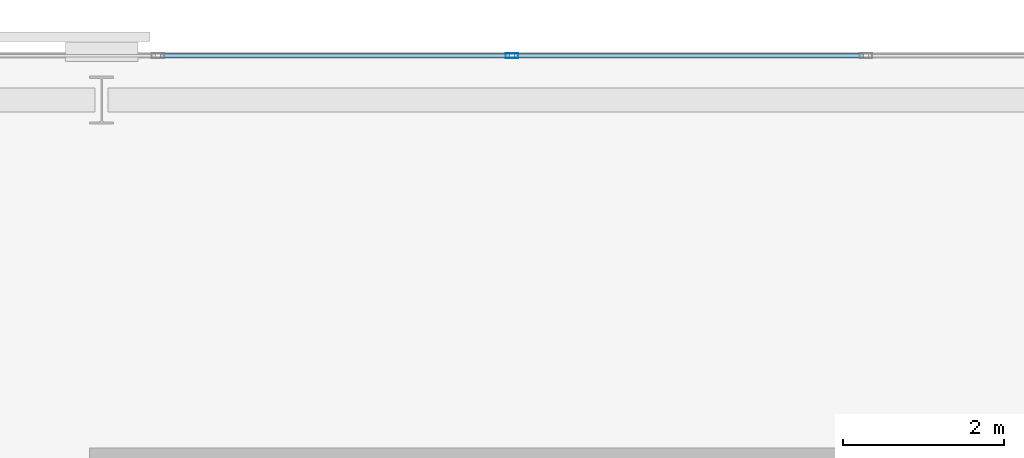
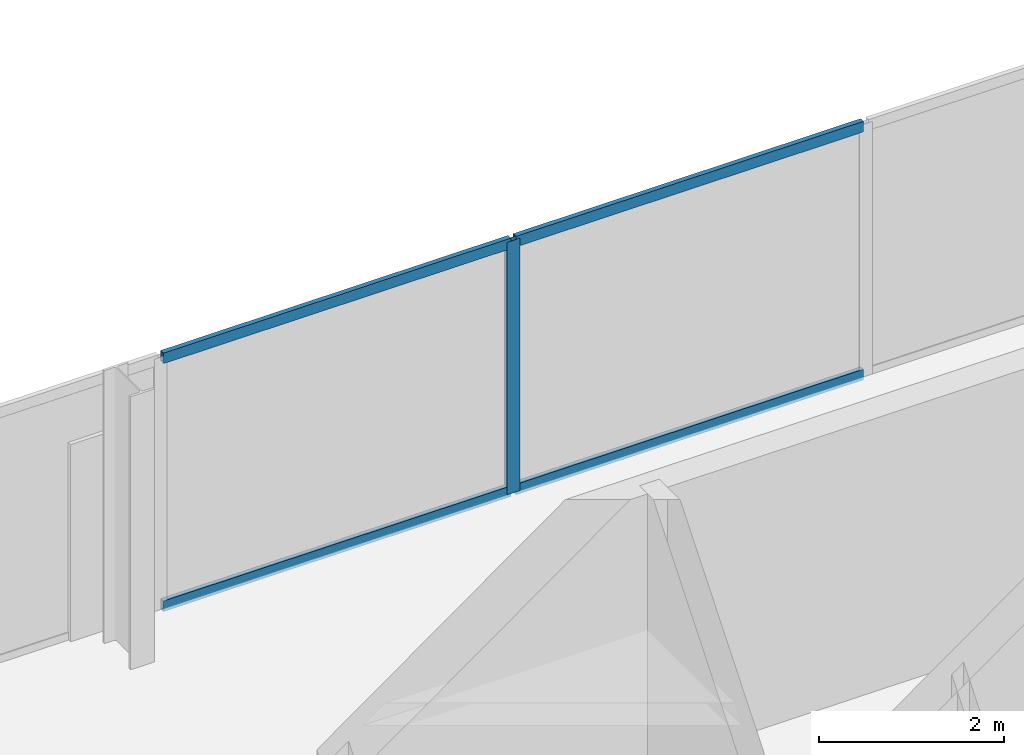
# One storey, part 20 of 33: 5 members, 1 element without a shape of its own.
"""IFC4 building model written with IfcOpenShell, lengths in metres."""

from ifc_helpers import new_model, si_unit, direction, frame, origin, origin_2d, place, context, subcontext, project, spatial, hollow_rectangle, extrude, material, layer, layer_set, material_profile, profile_set, type_object, element, aggregate, save


model = new_model("IFC4")

# Units and contexts
model_context = context("Model", 3, precision=1e-05, world=origin(), true_north=direction((0.0, 1.0)))
body_context = subcontext(model_context, "Body", "Model", "MODEL_VIEW")
ifc_project = project(units=[si_unit("LENGTHUNIT", "METRE"), si_unit("AREAUNIT", "SQUARE_METRE"), si_unit("VOLUMEUNIT", "CUBIC_METRE"), si_unit("PLANEANGLEUNIT", "RADIAN"), si_unit("MASSUNIT", "GRAM", prefix="KILO")], contexts=[model_context])

# Site, building, storey
site_placement = place(None, origin())
site = spatial("IfcSite", under=ifc_project, at=site_placement, CompositionType="ELEMENT")
building_placement = place(site_placement, origin())
building = spatial("IfcBuilding", under=site, at=building_placement, Name="Catumbela Crestline Tower", CompositionType="ELEMENT")
storey_placement = place(building_placement, frame((0.0, 0.0, 118.8)))
storey = spatial("IfcBuildingStorey", under=building, at=storey_placement, Name="L30", CompositionType="ELEMENT", Elevation=118.8)

# Curtain wall, members
ifc_material = material(Name="Aluminium alloy AW-6060-T66", Category="aluminium")
ifc_layer = layer(ifc_material, 0.18, Name="Aluminium alloy AW-6060-T66")
ifc_layer_set = layer_set([ifc_layer], Name="Aluminium alloy AW-6060-T66")
curtain_wall_type = type_object("IfcCurtainWallType", Name="CWU-Z2", PredefinedType="USERDEFINED", material=ifc_layer_set)
curtain_wall_placement = place(storey_placement, origin())
curtain_wall = element("IfcCurtainWall", 1, at=curtain_wall_placement, inside=storey, type_object=curtain_wall_type, Name="L30 Unitised Curtain Wall CW-L30-E7S1", ObjectType="UNITISED", PredefinedType="USERDEFINED")
ifc_material_profile_1 = material_profile(ifc_material, hollow_rectangle(XDim=0.06, YDim=0.16, WallThickness=0.004, at=origin_2d()), Name="ALU 160x60x4")
ifc_profile_set_1 = profile_set([ifc_material_profile_1], Name="Aluminium alloy AW-6060-T66")
member_type_1 = type_object("IfcMemberType", Name="MUL-160X60", PredefinedType="MULLION", material=ifc_profile_set_1)
member_1_placement = place(storey_placement, frame((21.1, 47.95, 0.0), z_axis=(0.0, 0.0, 1.0), x_axis=(0.0, -1.0, 0.0)))
member_1 = element("IfcMember", 2, at=member_1_placement, type_object=member_type_1, Name="CWU-Z2 mullion 7", PredefinedType="MULLION", context=body_context, shape_type="SweptSolid", body=[
    extrude(hollow_rectangle(XDim=0.06, YDim=0.16, WallThickness=0.004, at=origin_2d()), origin(), (0.0, 0.0, 1.0), 3.33),
])
ifc_material_profile_2 = material_profile(ifc_material, hollow_rectangle(XDim=0.06, YDim=0.14, WallThickness=0.004, at=origin_2d()), Name="ALU 140x60x4")
ifc_profile_set_2 = profile_set([ifc_material_profile_2], Name="Aluminium alloy AW-6060-T66")
member_type_2 = type_object("IfcMemberType", Name="TRN-140X60", PredefinedType="USERDEFINED", material=ifc_profile_set_2)
member_2_placement = place(storey_placement, frame((25.4675, 47.95, 0.03), z_axis=(-1.0, 0.0, 0.0), x_axis=(0.0, -1.0, 0.0)))
member_2 = element("IfcMember", 3, at=member_2_placement, type_object=member_type_2, Name="CWU-Z2 transom 6.1", ObjectType="TRANSOM", PredefinedType="USERDEFINED", context=body_context, shape_type="SweptSolid", body=[
    extrude(hollow_rectangle(XDim=0.06, YDim=0.14, WallThickness=0.004, at=origin_2d()), origin(), (0.0, 0.0, 1.0), 4.335),
])
member_3_placement = place(storey_placement, frame((25.4675, 47.95, 3.3), z_axis=(-1.0, 0.0, 0.0), x_axis=(0.0, -1.0, 0.0)))
member_3 = element("IfcMember", 4, at=member_3_placement, type_object=member_type_2, Name="CWU-Z2 transom 6.2", ObjectType="TRANSOM", PredefinedType="USERDEFINED", context=body_context, shape_type="SweptSolid", body=[
    extrude(hollow_rectangle(XDim=0.06, YDim=0.14, WallThickness=0.004, at=origin_2d()), origin(), (0.0, 0.0, 1.0), 4.335),
])
member_4_placement = place(storey_placement, frame((21.0675, 47.95, 0.03), z_axis=(-1.0, 0.0, 0.0), x_axis=(0.0, -1.0, 0.0)))
member_4 = element("IfcMember", 5, at=member_4_placement, type_object=member_type_2, Name="CWU-Z2 transom 7.1", ObjectType="TRANSOM", PredefinedType="USERDEFINED", context=body_context, shape_type="SweptSolid", body=[
    extrude(hollow_rectangle(XDim=0.06, YDim=0.14, WallThickness=0.004, at=origin_2d()), origin(), (0.0, 0.0, 1.0), 4.335),
])
member_5_placement = place(storey_placement, frame((21.0675, 47.95, 3.3), z_axis=(-1.0, 0.0, 0.0), x_axis=(0.0, -1.0, 0.0)))
member_5 = element("IfcMember", 6, at=member_5_placement, type_object=member_type_2, Name="CWU-Z2 transom 7.2", ObjectType="TRANSOM", PredefinedType="USERDEFINED", context=body_context, shape_type="SweptSolid", body=[
    extrude(hollow_rectangle(XDim=0.06, YDim=0.14, WallThickness=0.004, at=origin_2d()), origin(), (0.0, 0.0, 1.0), 4.335),
])
aggregate(curtain_wall, [member_1, member_2, member_3, member_4, member_5])

save(model, "model.ifc")
